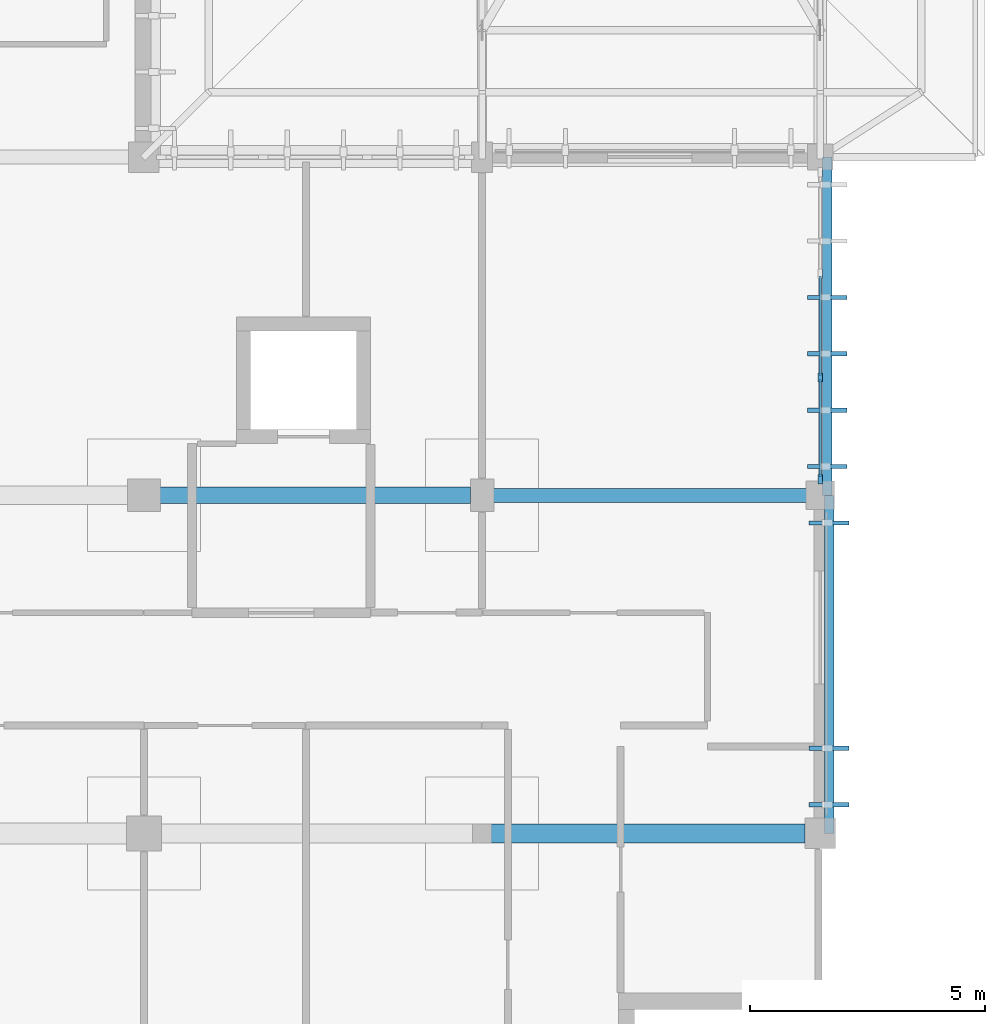
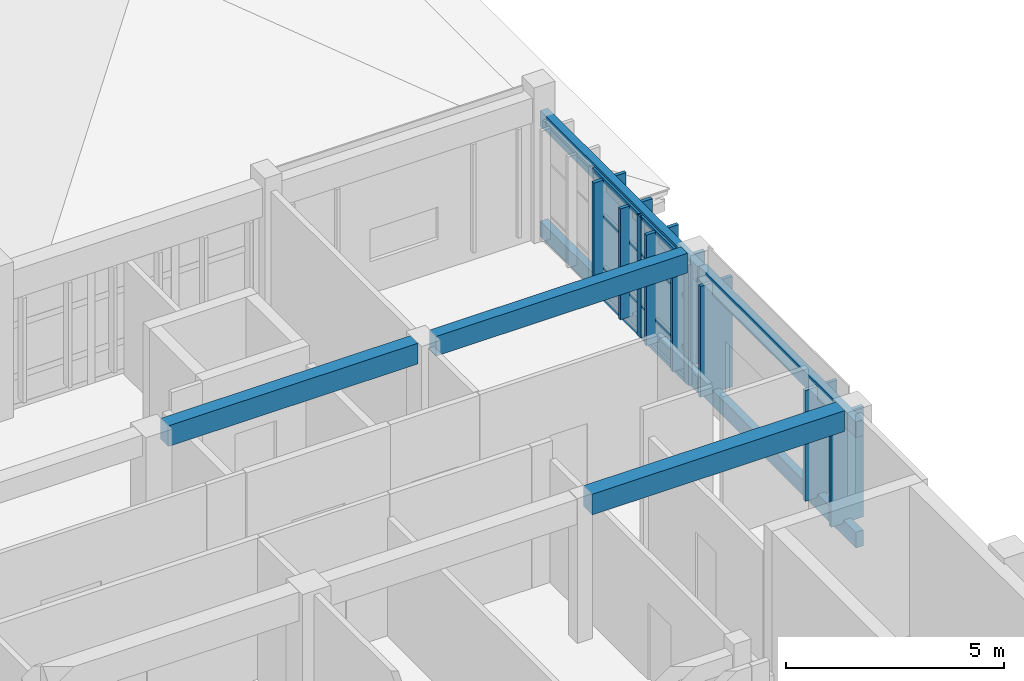
# One storey, part 10 of 51: 17 members, 7 beams, 1 element without a shape of its own.
"""IFC4 building model written with IfcOpenShell, lengths in metres."""

from ifc_helpers import new_model, si_unit, direction, frame, origin, origin_2d, place, context, subcontext, project, spatial, rectangle, extrude, material, material_profile, profile_set, type_object, element, aggregate, save


model = new_model("IFC4")

# Units and contexts
model_context = context("Model", 3, precision=1e-05, world=origin(), true_north=direction((0.0, 1.0)))
body_context = subcontext(model_context, "Body", "Model", "MODEL_VIEW")
ifc_project = project(units=[si_unit("LENGTHUNIT", "METRE"), si_unit("AREAUNIT", "SQUARE_METRE"), si_unit("VOLUMEUNIT", "CUBIC_METRE"), si_unit("PLANEANGLEUNIT", "RADIAN"), si_unit("MASSUNIT", "GRAM", prefix="KILO")], contexts=[model_context])

# Site, building, storey
site_placement = place(None, origin())
site = spatial("IfcSite", under=ifc_project, at=site_placement, CompositionType="ELEMENT")
building_placement = place(site_placement, origin())
building = spatial("IfcBuilding", under=site, at=building_placement, Name="Steenspoor Specialist Clinic", CompositionType="ELEMENT")
storey_placement = place(building_placement, frame((0.0, 0.0, 17.39990234375)))
storey = spatial("IfcBuildingStorey", under=building, at=storey_placement, Name="L04", CompositionType="ELEMENT", Elevation=17.39990234375)

# Beams
ifc_material_1 = material(Name="Glulam GL28h", Category="wood")
ifc_material_profile_1 = material_profile(ifc_material_1, rectangle(XDim=0.199951171875, YDim=0.43994140625, at=origin_2d()), Name="GL28H-200X440")
ifc_profile_set_1 = profile_set([ifc_material_profile_1], Name="Glulam GL28h")
beam_type_1 = type_object("IfcBeamType", Name="BM-GL-200X440", PredefinedType="BEAM", material=ifc_profile_set_1)
for number, where, z_axis, x_axis, name in (
    (1, (146.949951171875, 93.949951171875, 0.14013671875), (0.0, -1.0, 0.0), (1.0, 0.0, 0.0), "Timber Screen Tie Rail V6 L04 236"),
    (2, (146.949951171875, 93.949951171875, 3.22998046875), (0.0, -1.0, 0.0), (1.0, 0.0, 0.0), "Timber Screen Tie Rail V6 L04 237"),
    (3, (146.989990234375, 86.75, 0.14013671875), (0.0, -1.0, 0.0), (1.0, 0.0, 0.0), "Timber Screen Tie Rail V6 L04 244"),
    (4, (146.989990234375, 86.75, 3.22998046875), (0.0, -1.0, 0.0), (1.0, 0.0, 0.0), "Timber Screen Tie Rail V6 L04 245"),
):
    element("IfcBeam", number, at=place(storey_placement, frame(where, z_axis=z_axis, x_axis=x_axis)), inside=storey, type_object=beam_type_1, Name=name, PredefinedType="BEAM", context=body_context, shape_type="SweptSolid", body=[
        extrude(rectangle(XDim=0.199951171875, YDim=0.43994140625, at=origin_2d()), origin(), (0.0, 0.0, 1.0), 7.199951171875),
    ])
ifc_material_2 = material(Name="Concrete C35/45", Category="concrete")
ifc_material_profile_2 = material_profile(ifc_material_2, rectangle(XDim=0.300048828125, YDim=0.550048828125, at=origin_2d()), Name="RC-BM-300X550")
ifc_profile_set_2 = profile_set([ifc_material_profile_2], Name="Concrete C35/45")
beam_type_2 = type_object("IfcBeamType", Name="BM-RC-300X550", PredefinedType="BEAM", material=ifc_profile_set_2)
beam_1_placement = place(storey_placement, frame((139.844970703125, 86.75, 3.760009765625), z_axis=(1.0, 0.0, 0.0), x_axis=(0.0, 1.0, 0.0)))
element("IfcBeam", 5, at=beam_1_placement, inside=storey, type_object=beam_type_2, Name="BM-V6-L04-X1795", PredefinedType="BEAM", context=body_context, shape_type="SweptSolid", body=[
    extrude(rectangle(XDim=0.300048828125, YDim=0.550048828125, at=origin_2d()), origin(), (0.0, 0.0, 1.0), 6.659912109375),
])
ifc_material_profile_3 = material_profile(ifc_material_2, rectangle(XDim=0.35009765625, YDim=0.580078125, at=origin_2d()), Name="RC-BM-350X580")
ifc_profile_set_3 = profile_set([ifc_material_profile_3], Name="Concrete C35/45")
beam_type_3 = type_object("IfcBeamType", Name="BM-RC-350X580", PredefinedType="BEAM", material=ifc_profile_set_3)
beam_2_placement = place(storey_placement, frame((132.7451171875, 86.75, 3.7451171875), z_axis=(1.0, 0.0, 0.0), x_axis=(0.0, 1.0, 0.0)))
element("IfcBeam", 6, at=beam_2_placement, inside=storey, type_object=beam_type_3, Name="BM-V6-L04-X1794", PredefinedType="BEAM", context=body_context, shape_type="SweptSolid", body=[
    extrude(rectangle(XDim=0.35009765625, YDim=0.580078125, at=origin_2d()), origin(), (0.0, 0.0, 1.0), 6.60986328125),
])
ifc_material_profile_4 = material_profile(ifc_material_2, rectangle(XDim=0.39990234375, YDim=0.580078125, at=origin_2d()), Name="RC-BM-400X580")
ifc_profile_set_4 = profile_set([ifc_material_profile_4], Name="Concrete C35/45")
beam_type_4 = type_object("IfcBeamType", Name="BM-RC-400X580", PredefinedType="BEAM", material=ifc_profile_set_4)
beam_3_placement = place(storey_placement, frame((139.794921875, 79.550048828125, 3.7451171875), z_axis=(1.0, 0.0, 0.0), x_axis=(0.0, 1.0, 0.0)))
element("IfcBeam", 7, at=beam_3_placement, inside=storey, type_object=beam_type_4, Name="BM-V6-L04-X1791", PredefinedType="BEAM", context=body_context, shape_type="SweptSolid", body=[
    extrude(rectangle(XDim=0.39990234375, YDim=0.580078125, at=origin_2d()), origin(), (0.0, 0.0, 1.0), 6.68505859375),
])

# Curtain wall, members
ifc_material_3 = material(Name="Thermally broken aluminium and low-emissivity glass", Category="aluminium")
curtain_wall_type = type_object("IfcCurtainWallType", Name="CW-TYP-540X355", PredefinedType="USERDEFINED", material=ifc_material_3)
curtain_wall_placement = place(storey_placement, origin())
curtain_wall = element("IfcCurtainWall", 8, at=curtain_wall_placement, inside=storey, type_object=curtain_wall_type, Name="Unitised Curtain Wall CW-V6-L04-203", ObjectType="UNITISED GLAZING", PredefinedType="USERDEFINED")
ifc_material_4 = material(Name="Thermally broken aluminium 6063-T6", Category="aluminium")
ifc_material_profile_5 = material_profile(ifc_material_4, rectangle(XDim=0.090087890625, YDim=0.199951171875, at=origin_2d()), Name="CWM-90X200")
ifc_profile_set_5 = profile_set([ifc_material_profile_5], Name="Thermally broken aluminium 6063-T6")
member_type_1 = type_object("IfcMemberType", Name="CW-MULL-90X200", PredefinedType="MULLION", material=ifc_profile_set_5)
member_1_placement = place(storey_placement, frame((146.800048828125, 89.25830078125, 0.0), z_axis=(0.0, 0.0, 1.0), x_axis=(1.0, 0.0, 0.0)))
member_1 = element("IfcMember", 9, at=member_1_placement, type_object=member_type_1, Name="CW-11 mullion 3", PredefinedType="MULLION", context=body_context, shape_type="SweptSolid", body=[
    extrude(rectangle(XDim=0.090087890625, YDim=0.199951171875, at=origin_2d()), origin(), (0.0, 0.0, 1.0), 3.380126953125),
])
member_2_placement = place(storey_placement, frame((146.800048828125, 87.094970703125, 0.0), z_axis=(0.0, 0.0, 1.0), x_axis=(1.0, 0.0, 0.0)))
member_2 = element("IfcMember", 10, at=member_2_placement, type_object=member_type_1, Name="CW-11 mullion 4", PredefinedType="MULLION", context=body_context, shape_type="SweptSolid", body=[
    extrude(rectangle(XDim=0.090087890625, YDim=0.199951171875, at=origin_2d()), origin(), (0.0, 0.0, 1.0), 3.380126953125),
])
ifc_material_profile_6 = material_profile(ifc_material_4, rectangle(XDim=0.06005859375, YDim=0.114990234375, at=origin_2d()), Name="CWT-60X115")
ifc_profile_set_6 = profile_set([ifc_material_profile_6], Name="Thermally broken aluminium 6063-T6")
member_type_2 = type_object("IfcMemberType", Name="CW-TRAN-60X115", PredefinedType="USERDEFINED", material=ifc_profile_set_6)
member_3_placement = place(storey_placement, frame((146.800048828125, 91.421630859375, 0.030029296875), z_axis=(0.0, -1.0, 0.0), x_axis=(1.0, 0.0, 0.0)))
member_3 = element("IfcMember", 11, at=member_3_placement, type_object=member_type_2, Name="CW-11 transom 2.1", ObjectType="TRANSOM", PredefinedType="USERDEFINED", context=body_context, shape_type="SweptSolid", body=[
    extrude(rectangle(XDim=0.06005859375, YDim=0.114990234375, at=origin_2d()), origin(), (0.0, 0.0, 1.0), 2.118408203125),
])
member_4_placement = place(storey_placement, frame((146.800048828125, 91.421630859375, 0.900146484375), z_axis=(0.0, -1.0, 0.0), x_axis=(1.0, 0.0, 0.0)))
member_4 = element("IfcMember", 12, at=member_4_placement, type_object=member_type_2, Name="CW-11 transom 2.2", ObjectType="TRANSOM", PredefinedType="USERDEFINED", context=body_context, shape_type="SweptSolid", body=[
    extrude(rectangle(XDim=0.06005859375, YDim=0.114990234375, at=origin_2d()), origin(), (0.0, 0.0, 1.0), 2.118408203125),
])
member_5_placement = place(storey_placement, frame((146.800048828125, 91.421630859375, 2.35009765625), z_axis=(0.0, -1.0, 0.0), x_axis=(1.0, 0.0, 0.0)))
member_5 = element("IfcMember", 13, at=member_5_placement, type_object=member_type_2, Name="CW-11 transom 2.3", ObjectType="TRANSOM", PredefinedType="USERDEFINED", context=body_context, shape_type="SweptSolid", body=[
    extrude(rectangle(XDim=0.06005859375, YDim=0.114990234375, at=origin_2d()), origin(), (0.0, 0.0, 1.0), 2.118408203125),
])
member_6_placement = place(storey_placement, frame((146.800048828125, 91.421630859375, 3.35009765625), z_axis=(0.0, -1.0, 0.0), x_axis=(1.0, 0.0, 0.0)))
member_6 = element("IfcMember", 14, at=member_6_placement, type_object=member_type_2, Name="CW-11 transom 2.4", ObjectType="TRANSOM", PredefinedType="USERDEFINED", context=body_context, shape_type="SweptSolid", body=[
    extrude(rectangle(XDim=0.06005859375, YDim=0.114990234375, at=origin_2d()), origin(), (0.0, 0.0, 1.0), 2.118408203125),
])
member_7_placement = place(storey_placement, frame((146.800048828125, 89.21337890625, 0.030029296875), z_axis=(0.0, -1.0, 0.0), x_axis=(1.0, 0.0, 0.0)))
member_7 = element("IfcMember", 15, at=member_7_placement, type_object=member_type_2, Name="CW-11 transom 3.1", ObjectType="TRANSOM", PredefinedType="USERDEFINED", context=body_context, shape_type="SweptSolid", body=[
    extrude(rectangle(XDim=0.06005859375, YDim=0.114990234375, at=origin_2d()), origin(), (0.0, 0.0, 1.0), 2.073486328125),
])
member_8_placement = place(storey_placement, frame((146.800048828125, 89.21337890625, 0.900146484375), z_axis=(0.0, -1.0, 0.0), x_axis=(1.0, 0.0, 0.0)))
member_8 = element("IfcMember", 16, at=member_8_placement, type_object=member_type_2, Name="CW-11 transom 3.2", ObjectType="TRANSOM", PredefinedType="USERDEFINED", context=body_context, shape_type="SweptSolid", body=[
    extrude(rectangle(XDim=0.06005859375, YDim=0.114990234375, at=origin_2d()), origin(), (0.0, 0.0, 1.0), 2.073486328125),
])
member_9_placement = place(storey_placement, frame((146.800048828125, 89.21337890625, 2.35009765625), z_axis=(0.0, -1.0, 0.0), x_axis=(1.0, 0.0, 0.0)))
member_9 = element("IfcMember", 17, at=member_9_placement, type_object=member_type_2, Name="CW-11 transom 3.3", ObjectType="TRANSOM", PredefinedType="USERDEFINED", context=body_context, shape_type="SweptSolid", body=[
    extrude(rectangle(XDim=0.06005859375, YDim=0.114990234375, at=origin_2d()), origin(), (0.0, 0.0, 1.0), 2.073486328125),
])
member_10_placement = place(storey_placement, frame((146.800048828125, 89.21337890625, 3.35009765625), z_axis=(0.0, -1.0, 0.0), x_axis=(1.0, 0.0, 0.0)))
member_10 = element("IfcMember", 18, at=member_10_placement, type_object=member_type_2, Name="CW-11 transom 3.4", ObjectType="TRANSOM", PredefinedType="USERDEFINED", context=body_context, shape_type="SweptSolid", body=[
    extrude(rectangle(XDim=0.06005859375, YDim=0.114990234375, at=origin_2d()), origin(), (0.0, 0.0, 1.0), 2.073486328125),
])
aggregate(curtain_wall, [member_1, member_2, member_3, member_4, member_5, member_6, member_7, member_8, member_9, member_10])

# Members
ifc_material_profile_7 = material_profile(ifc_material_1, rectangle(XDim=0.090087890625, YDim=0.85009765625, at=origin_2d()), Name="GL28H-90X850")
ifc_profile_set_7 = profile_set([ifc_material_profile_7], Name="Glulam GL28h")
member_type_3 = type_object("IfcMemberType", Name="MEM-SCREEN-GL850", PredefinedType="STRUT", material=ifc_profile_set_7)
for number, where, z_axis, x_axis, name in (
    (19, (146.949951171875, 90.96240234375, 0.27001953125), (0.0, 0.0, 1.0), (0.0, -1.0, 0.0), "Glulam Timber Screen Fin SCR-FIN-V6-L04-0240"),
    (20, (146.949951171875, 89.762451171875, 0.27001953125), (0.0, 0.0, 1.0), (0.0, -1.0, 0.0), "Glulam Timber Screen Fin SCR-FIN-V6-L04-0241"),
    (21, (146.949951171875, 88.5625, 0.27001953125), (0.0, 0.0, 1.0), (0.0, -1.0, 0.0), "Glulam Timber Screen Fin SCR-FIN-V6-L04-0242"),
    (22, (146.949951171875, 87.362548828125, 0.27001953125), (0.0, 0.0, 1.0), (0.0, -1.0, 0.0), "Glulam Timber Screen Fin SCR-FIN-V6-L04-0243"),
    (23, (146.989990234375, 86.16259765625, 0.27001953125), (0.0, 0.0, 1.0), (0.0, -1.0, 0.0), "Glulam Timber Screen Fin SCR-FIN-V6-L04-0246"),
    (24, (146.989990234375, 81.362548828125, 0.27001953125), (0.0, 0.0, 1.0), (0.0, -1.0, 0.0), "Glulam Timber Screen Fin SCR-FIN-V6-L04-0247"),
    (25, (146.989990234375, 80.16259765625, 0.27001953125), (0.0, 0.0, 1.0), (0.0, -1.0, 0.0), "Glulam Timber Screen Fin SCR-FIN-V6-L04-0248"),
):
    element("IfcMember", number, at=place(storey_placement, frame(where, z_axis=z_axis, x_axis=x_axis)), inside=storey, type_object=member_type_3, Name=name, PredefinedType="STRUT", context=body_context, shape_type="SweptSolid", body=[
        extrude(rectangle(XDim=0.090087890625, YDim=0.85009765625, at=origin_2d()), origin(), (0.0, 0.0, 1.0), 3.10009765625),
    ])

save(model, "model.ifc")
